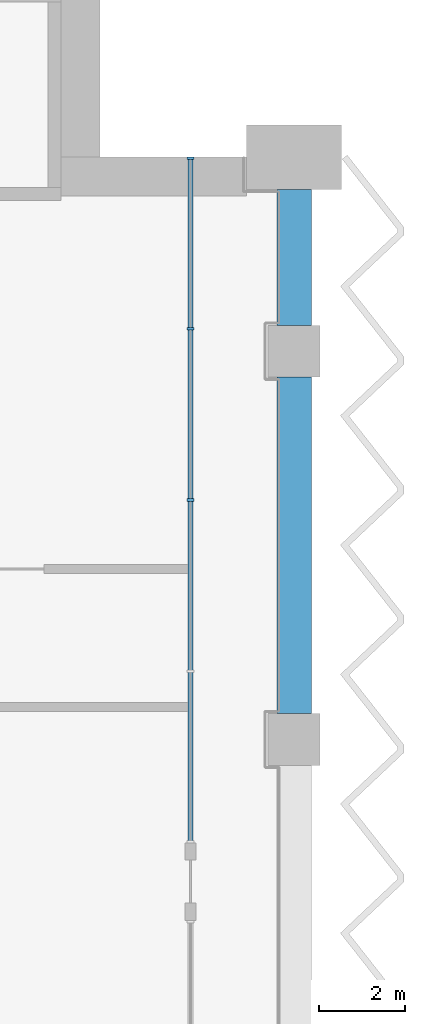
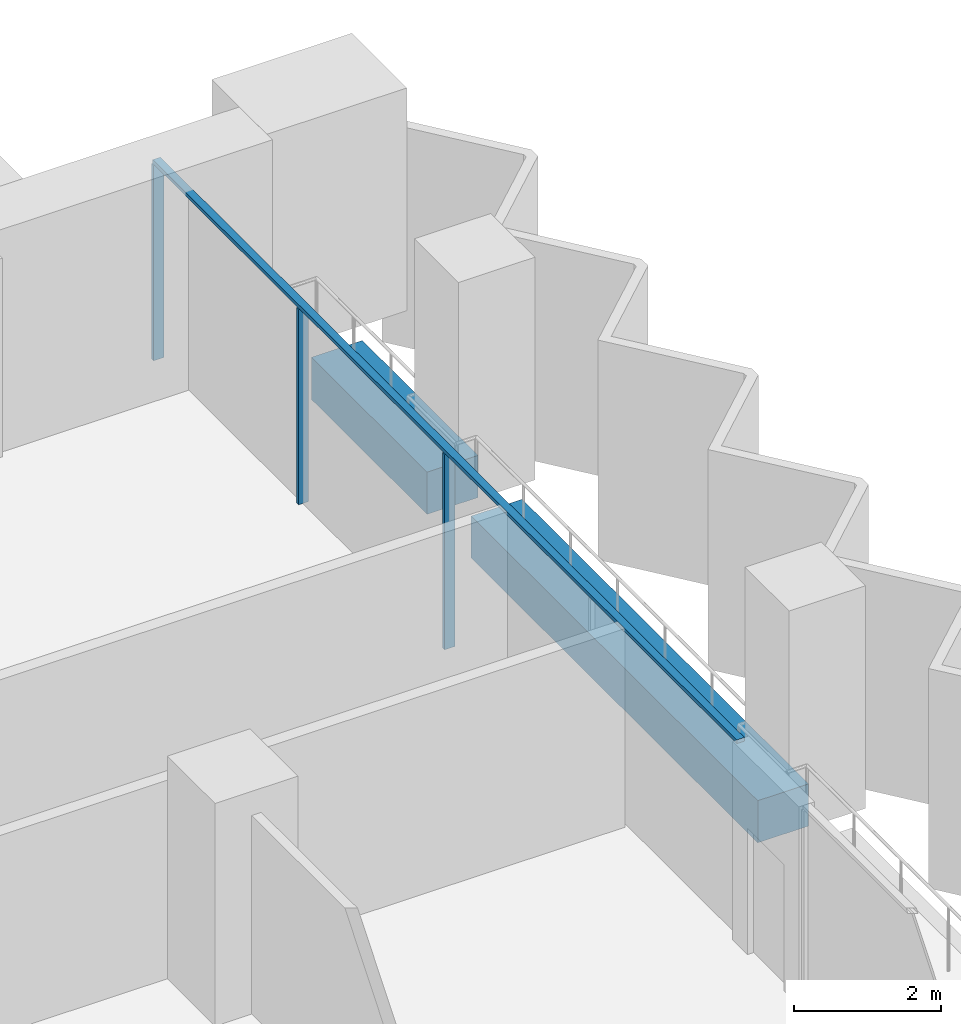
# One storey, part 6 of 22: 4 members, 2 beams, 1 element without a shape of its own.
"""IFC4 building model written with IfcOpenShell, lengths in metres."""

from ifc_helpers import new_model, si_unit, direction, frame, origin, origin_2d, place, context, subcontext, project, spatial, rectangle, extrude, material, material_profile, profile_set, type_object, element, aggregate, save


model = new_model("IFC4")

# Units and contexts
model_context = context("Model", 3, precision=1e-05, world=origin(), true_north=direction((0.0, 1.0)))
body_context = subcontext(model_context, "Body", "Model", "MODEL_VIEW")
ifc_project = project(units=[si_unit("LENGTHUNIT", "METRE"), si_unit("AREAUNIT", "SQUARE_METRE"), si_unit("VOLUMEUNIT", "CUBIC_METRE"), si_unit("PLANEANGLEUNIT", "RADIAN"), si_unit("MASSUNIT", "GRAM", prefix="KILO")], contexts=[model_context])

# Site, building, storey
site_placement = place(None, origin())
site = spatial("IfcSite", under=ifc_project, at=site_placement, CompositionType="ELEMENT")
building_placement = place(site_placement, origin())
building = spatial("IfcBuilding", under=site, at=building_placement, Name="Hunhe Ridgeline Campus", CompositionType="ELEMENT")
storey_placement = place(building_placement, frame((0.0, 0.0, 118.10009765625)))
storey = spatial("IfcBuildingStorey", under=building, at=storey_placement, Name="L29", CompositionType="ELEMENT", Elevation=118.10009765625)

# Curtain wall, members
ifc_material_1 = material(Name="Aluminium 6063", Category="aluminium")
curtain_wall_type = type_object("IfcCurtainWallType", Name="Curtain wall CW-1", PredefinedType="NOTDEFINED", material=ifc_material_1)
curtain_wall_placement = place(storey_placement, origin())
curtain_wall = element("IfcCurtainWall", 1, at=curtain_wall_placement, inside=storey, type_object=curtain_wall_type, Name="Curtain wall 15", PredefinedType="NOTDEFINED")
ifc_material_profile_1 = material_profile(ifc_material_1, rectangle(XDim=0.159912109375, YDim=0.06005859375, at=origin_2d()))
ifc_profile_set_1 = profile_set([ifc_material_profile_1], Name="Aluminium 6063")
member_type_1 = type_object("IfcMemberType", Name="CW-1 aluminium mullion", PredefinedType="MULLION", material=ifc_profile_set_1)
member_1_placement = place(storey_placement, frame((78.59912109375, 86.55029296875, 0.0), z_axis=(0.0, 0.0, 1.0), x_axis=(-1.0, 0.0, 0.0)))
member_1 = element("IfcMember", 2, at=member_1_placement, type_object=member_type_1, Name="CW-1 mullion 3", PredefinedType="MULLION", context=body_context, shape_type="SweptSolid", body=[
    extrude(rectangle(XDim=0.159912109375, YDim=0.06005859375, at=origin_2d()), origin(), (0.0, 0.0, 1.0), 3.239990234375),
])
member_2_placement = place(storey_placement, frame((78.59912109375, 90.525146484375, 0.0), z_axis=(0.0, 0.0, 1.0), x_axis=(-1.0, 0.0, 0.0)))
member_2 = element("IfcMember", 3, at=member_2_placement, type_object=member_type_1, Name="CW-1 mullion 4", PredefinedType="MULLION", context=body_context, shape_type="SweptSolid", body=[
    extrude(rectangle(XDim=0.159912109375, YDim=0.06005859375, at=origin_2d()), origin(), (0.0, 0.0, 1.0), 3.239990234375),
])
member_3_placement = place(storey_placement, frame((78.59912109375, 94.469970703125, 0.0), z_axis=(0.0, 0.0, 1.0), x_axis=(-1.0, 0.0, 0.0)))
member_3 = element("IfcMember", 4, at=member_3_placement, type_object=member_type_1, Name="CW-1 mullion 5", PredefinedType="MULLION", context=body_context, shape_type="SweptSolid", body=[
    extrude(rectangle(XDim=0.159912109375, YDim=0.06005859375, at=origin_2d()), origin(), (0.0, 0.0, 1.0), 3.239990234375),
])
ifc_material_profile_2 = material_profile(ifc_material_1, rectangle(XDim=0.1201171875, YDim=0.06005859375, at=origin_2d()))
ifc_profile_set_2 = profile_set([ifc_material_profile_2], Name="Aluminium 6063")
member_type_2 = type_object("IfcMemberType", Name="CW-1 aluminium transom", PredefinedType="USERDEFINED", material=ifc_profile_set_2)
member_4_placement = place(storey_placement, frame((78.59912109375, 78.6005859375, 3.27001953125), z_axis=(0.0, 1.0, 0.0), x_axis=(-1.0, 0.0, 0.0)))
member_4 = element("IfcMember", 5, at=member_4_placement, type_object=member_type_2, Name="CW-1 transom 1", ObjectType="TRANSOM", PredefinedType="USERDEFINED", context=body_context, shape_type="SweptSolid", body=[
    extrude(rectangle(XDim=0.1201171875, YDim=0.06005859375, at=origin_2d()), origin(), (0.0, 0.0, 1.0), 15.8994140625),
])
aggregate(curtain_wall, [member_4, member_1, member_2, member_3])

# Beams
ifc_material_2 = material(Name="Concrete C60", Category="concrete")
ifc_material_profile_3 = material_profile(ifc_material_2, rectangle(XDim=0.800048828125, YDim=0.699951171875, at=origin_2d()))
ifc_profile_set_3 = profile_set([ifc_material_profile_3], Name="Concrete C60")
beam_type = type_object("IfcBeamType", Name="RC spandrel beam 800x700 Concrete C60", PredefinedType="SPANDREL", material=ifc_profile_set_3)
beam_1_placement = place(storey_placement, frame((81.0, 81.60009765625, -0.60009765625), z_axis=(0.0, 1.0, 0.0), x_axis=(-1.0, 0.0, 0.0)))
element("IfcBeam", 6, at=beam_1_placement, inside=storey, type_object=beam_type, Name="Spandrel beam B1-21 L29", PredefinedType="SPANDREL", context=body_context, shape_type="SweptSolid", body=[
    extrude(rectangle(XDim=0.800048828125, YDim=0.699951171875, at=origin_2d()), origin(), (0.0, 0.0, 1.0), 7.7998046875),
])
beam_2_placement = place(storey_placement, frame((81.0, 90.60009765625, -0.60009765625), z_axis=(0.0, 1.0, 0.0), x_axis=(-1.0, 0.0, 0.0)))
element("IfcBeam", 7, at=beam_2_placement, inside=storey, type_object=beam_type, Name="Spandrel beam B1-22 L29", PredefinedType="SPANDREL", context=body_context, shape_type="SweptSolid", body=[
    extrude(rectangle(XDim=0.800048828125, YDim=0.699951171875, at=origin_2d()), origin(), (0.0, 0.0, 1.0), 3.14990234375),
])

save(model, "model.ifc")
